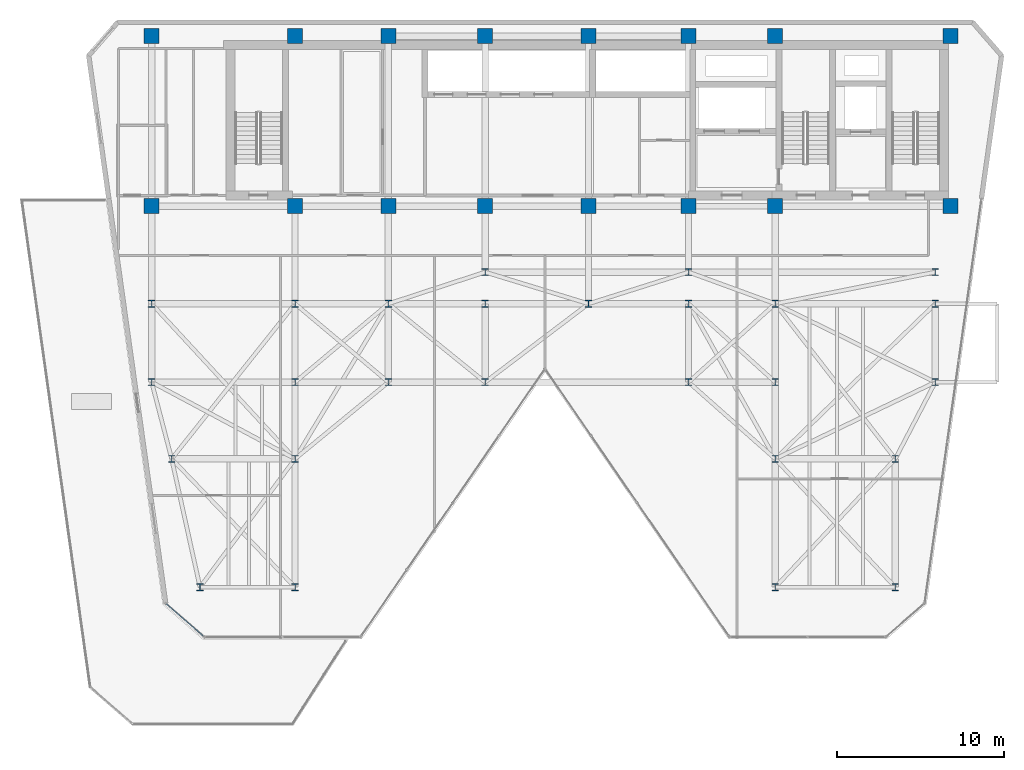
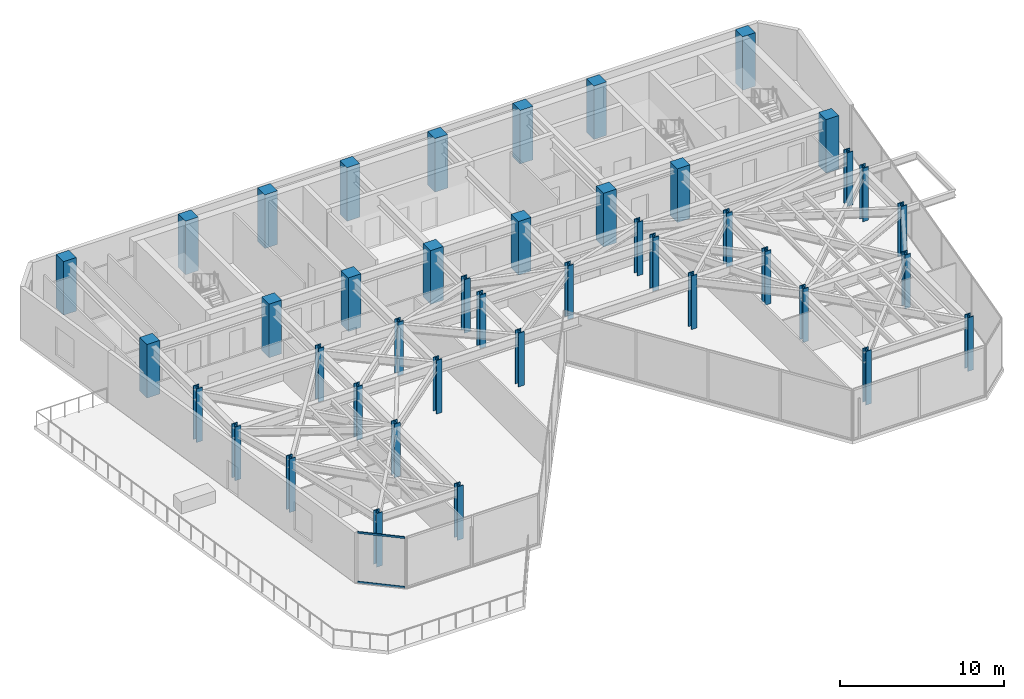
# One storey, part 1 of 21: 42 columns, 2 members, 1 element without a shape of its own.
"""IFC4 building model written with IfcOpenShell, lengths in metres."""

from ifc_helpers import new_model, si_unit, direction, frame, origin, origin_2d, place, context, subcontext, project, spatial, rectangle, hollow_rectangle, i_section, extrude, material, layer, layer_set, material_profile, profile_set, type_object, element, aggregate, save


model = new_model("IFC4")

# Units and contexts
model_context = context("Model", 3, precision=1e-05, world=origin(), true_north=direction((0.0, 1.0)))
body_context = subcontext(model_context, "Body", "Model", "MODEL_VIEW")
ifc_project = project(units=[si_unit("LENGTHUNIT", "METRE"), si_unit("AREAUNIT", "SQUARE_METRE"), si_unit("VOLUMEUNIT", "CUBIC_METRE"), si_unit("PLANEANGLEUNIT", "RADIAN"), si_unit("MASSUNIT", "GRAM", prefix="KILO")], contexts=[model_context])

# Site, building, storey
site_placement = place(None, origin())
site = spatial("IfcSite", under=ifc_project, at=site_placement, CompositionType="ELEMENT")
building_placement = place(site_placement, origin())
building = spatial("IfcBuilding", under=site, at=building_placement, Name="Kravanh Interchange Tower", CompositionType="ELEMENT")
storey_placement = place(building_placement, frame((0.0, 0.0, 160.5)))
storey = spatial("IfcBuildingStorey", under=building, at=storey_placement, Name="L38", CompositionType="ELEMENT", Elevation=160.5)

# Columns
ifc_material_1 = material(Name="Concrete C60/75", Category="concrete")
ifc_material_profile_1 = material_profile(ifc_material_1, rectangle(XDim=0.89990234375, YDim=0.89990234375, at=origin_2d()), Name="RC900X900")
ifc_profile_set_1 = profile_set([ifc_material_profile_1], Name="Concrete C60/75")
column_type_1 = type_object("IfcColumnType", Name="Column RC900X900 Concrete C60/75", PredefinedType="COLUMN", material=ifc_profile_set_1)
for number, where, z_axis, x_axis, name in (
    (1, (66.5, 47.550048828125, 0.0), (0.0, 0.0, 1.0), (1.0, 0.0, 0.0), "L38 Column CS01"),
    (2, (56.0, 47.550048828125, 0.0), (0.0, 0.0, 1.0), (1.0, 0.0, 0.0), "L38 Column CS02"),
    (3, (66.5, 37.35009765625, 0.0), (0.0, 0.0, 1.0), (1.0, 0.0, 0.0), "L38 Column CS03"),
    (4, (56.0, 37.35009765625, 0.0), (0.0, 0.0, 1.0), (1.0, 0.0, 0.0), "L38 Column CS04"),
    (5, (50.800048828125, 47.550048828125, 0.0), (0.0, 0.0, 1.0), (1.0, 0.0, 0.0), "L38 Column CS05"),
    (6, (50.800048828125, 37.35009765625, 0.0), (0.0, 0.0, 1.0), (1.0, 0.0, 0.0), "L38 Column CS06"),
    (7, (44.800048828125, 37.35009765625, 0.0), (0.0, 0.0, 1.0), (1.0, 0.0, 0.0), "L38 Column CS07"),
    (8, (44.800048828125, 47.550048828125, 0.0), (0.0, 0.0, 1.0), (1.0, 0.0, 0.0), "L38 Column CS08"),
    (9, (38.60009765625, 37.35009765625, 0.0), (0.0, 0.0, 1.0), (1.0, 0.0, 0.0), "L38 Column CS09"),
    (10, (38.60009765625, 47.550048828125, 0.0), (0.0, 0.0, 1.0), (1.0, 0.0, 0.0), "L38 Column CS10"),
    (11, (32.800048828125, 37.35009765625, 0.0), (0.0, 0.0, 1.0), (1.0, 0.0, 0.0), "L38 Column CS11"),
    (12, (32.800048828125, 47.550048828125, 0.0), (0.0, 0.0, 1.0), (1.0, 0.0, 0.0), "L38 Column CS12"),
    (13, (27.199951171875, 37.35009765625, 0.0), (0.0, 0.0, 1.0), (1.0, 0.0, 0.0), "L38 Column CS13"),
    (14, (27.199951171875, 47.550048828125, 0.0), (0.0, 0.0, 1.0), (1.0, 0.0, 0.0), "L38 Column CS14"),
    (15, (18.60009765625, 37.35009765625, 0.0), (0.0, 0.0, 1.0), (1.0, 0.0, 0.0), "L38 Column CS17"),
    (16, (18.60009765625, 47.550048828125, 0.0), (0.0, 0.0, 1.0), (1.0, 0.0, 0.0), "L38 Column CS18"),
):
    element("IfcColumn", number, at=place(storey_placement, frame(where, z_axis=z_axis, x_axis=x_axis)), inside=storey, type_object=column_type_1, Name=name, PredefinedType="COLUMN", context=body_context, shape_type="SweptSolid", body=[
        extrude(rectangle(XDim=0.89990234375, YDim=0.89990234375, at=origin_2d()), origin(), (0.0, 0.0, 1.0), 4.0),
    ])
ifc_material_2 = material(Name="Structural Steel S355", Category="steel")
ifc_material_profile_2 = material_profile(ifc_material_2, i_section(OverallWidth=0.408935546875, OverallDepth=0.425048828125, WebThickness=0.03271484375, FlangeThickness=0.052490234375, FilletRadius=0.030029296875, at=origin_2d()), Name="W14X283")
ifc_profile_set_2 = profile_set([ifc_material_profile_2], Name="Structural Steel S355")
column_type_2 = type_object("IfcColumnType", Name="Column W14X283 Structural Steel S355", PredefinedType="COLUMN", material=ifc_profile_set_2)
for number, where, z_axis, x_axis, name in (
    (17, (21.5, 14.5, 0.0), (0.0, 0.0, 1.0), (1.0, 0.0, 0.0), "L38 Column CZ3_1"),
    (18, (18.60009765625, 26.800048828125, 0.0), (0.0, 0.0, 1.0), (1.0, 0.0, 0.0), "L38 Column CZ3_11"),
    (19, (27.199951171875, 26.800048828125, 0.0), (0.0, 0.0, 1.0), (1.0, 0.0, 0.0), "L38 Column CZ3_12"),
    (20, (32.800048828125, 26.800048828125, 0.0), (0.0, 0.0, 1.0), (1.0, 0.0, 0.0), "L38 Column CZ3_13"),
    (21, (38.60009765625, 26.800048828125, 0.0), (0.0, 0.0, 1.0), (1.0, 0.0, 0.0), "L38 Column CZ3_13B"),
    (22, (50.800048828125, 26.800048828125, 0.0), (0.0, 0.0, 1.0), (1.0, 0.0, 0.0), "L38 Column CZ3_14"),
    (23, (56.0, 26.800048828125, 0.0), (0.0, 0.0, 1.0), (1.0, 0.0, 0.0), "L38 Column CZ3_15"),
    (24, (65.60009765625, 26.800048828125, 0.0), (0.0, 0.0, 1.0), (1.0, 0.0, 0.0), "L38 Column CZ3_16"),
    (25, (18.60009765625, 31.5, 0.0), (0.0, 0.0, 1.0), (1.0, 0.0, 0.0), "L38 Column CZ3_17"),
    (26, (27.199951171875, 31.5, 0.0), (0.0, 0.0, 1.0), (1.0, 0.0, 0.0), "L38 Column CZ3_18"),
    (27, (32.800048828125, 31.5, 0.0), (0.0, 0.0, 1.0), (1.0, 0.0, 0.0), "L38 Column CZ3_19"),
    (28, (27.199951171875, 14.5, 0.0), (0.0, 0.0, 1.0), (1.0, 0.0, 0.0), "L38 Column CZ3_2"),
    (29, (38.60009765625, 31.5, 0.0), (0.0, 0.0, 1.0), (1.0, 0.0, 0.0), "L38 Column CZ3_20"),
    (30, (44.800048828125, 31.5, 0.0), (0.0, 0.0, 1.0), (1.0, 0.0, 0.0), "L38 Column CZ3_21"),
    (31, (50.800048828125, 31.5, 0.0), (0.0, 0.0, 1.0), (1.0, 0.0, 0.0), "L38 Column CZ3_22"),
    (32, (56.0, 31.5, 0.0), (0.0, 0.0, 1.0), (1.0, 0.0, 0.0), "L38 Column CZ3_23"),
    (33, (65.60009765625, 31.5, 0.0), (0.0, 0.0, 1.0), (1.0, 0.0, 0.0), "L38 Column CZ3_24"),
    (34, (56.0, 14.5, 0.0), (0.0, 0.0, 1.0), (1.0, 0.0, 0.0), "L38 Column CZ3_3"),
    (35, (63.199951171875, 14.5, 0.0), (0.0, 0.0, 1.0), (1.0, 0.0, 0.0), "L38 Column CZ3_4"),
    (36, (19.800048828125, 22.199951171875, 0.0), (0.0, 0.0, 1.0), (1.0, 0.0, 0.0), "L38 Column CZ3_5"),
    (37, (27.199951171875, 22.199951171875, 0.0), (0.0, 0.0, 1.0), (1.0, 0.0, 0.0), "L38 Column CZ3_6"),
    (38, (56.0, 22.199951171875, 0.0), (0.0, 0.0, 1.0), (1.0, 0.0, 0.0), "L38 Column CZ3_8"),
    (39, (63.199951171875, 22.199951171875, 0.0), (0.0, 0.0, 1.0), (1.0, 0.0, 0.0), "L38 Column CZ3_9"),
    (40, (38.60009765625, 33.39990234375, 0.0), (0.0, 0.0, 1.0), (1.0, 0.0, 0.0), "L38 Column CZ3_M1"),
    (41, (50.800048828125, 33.39990234375, 0.0), (0.0, 0.0, 1.0), (1.0, 0.0, 0.0), "L38 Column CZ3_M2"),
    (42, (65.60009765625, 33.39990234375, 0.0), (0.0, 0.0, 1.0), (1.0, 0.0, 0.0), "L38 Column CZ3_M3"),
):
    element("IfcColumn", number, at=place(storey_placement, frame(where, z_axis=z_axis, x_axis=x_axis)), inside=storey, type_object=column_type_2, Name=name, PredefinedType="COLUMN", context=body_context, shape_type="SweptSolid", body=[
        extrude(i_section(OverallWidth=0.408935546875, OverallDepth=0.425048828125, WebThickness=0.03271484375, FlangeThickness=0.052490234375, FilletRadius=0.030029296875, at=origin_2d()), origin(), (0.0, 0.0, 1.0), 4.0),
    ])

# Curtain wall, members
ifc_material_3 = material(Name="Anodised Bronze Aluminium", Category="aluminium")
ifc_layer = layer(ifc_material_3, 0.179931640625)
ifc_layer_set = layer_set([ifc_layer], Name="Unitised Curtain Wall System CW-Z3 Upper Office")
curtain_wall_type = type_object("IfcCurtainWallType", Name="Unitised Curtain Wall System CW-Z3 Upper Office", PredefinedType="NOTDEFINED", material=ifc_layer_set)
curtain_wall_placement = place(storey_placement, origin())
curtain_wall = element("IfcCurtainWall", 43, at=curtain_wall_placement, inside=storey, type_object=curtain_wall_type, Name="L38 Unitised Curtain Wall CW-L38-07", PredefinedType="NOTDEFINED")
ifc_material_4 = material(Name="Anodised Bronze Aluminium", Category="aluminium")
ifc_material_profile_3 = material_profile(ifc_material_4, hollow_rectangle(XDim=0.06005859375, YDim=0.139892578125, WallThickness=0.00390625, at=origin_2d()), Name="ALU60X140X4")
ifc_profile_set_3 = profile_set([ifc_material_profile_3], Name="Anodised Bronze Aluminium")
member_type = type_object("IfcMemberType", Name="Curtain Wall Transom ALU60X140X4 Bronze", PredefinedType="USERDEFINED", material=ifc_profile_set_3)
member_1_placement = place(storey_placement, frame((21.713623046875, 11.559326171875, 0.030029296875), z_axis=(-0.754708504141, 0.656060266879, 0.0), x_axis=(-0.656060266879, -0.754708504141, 0.0)))
member_1 = element("IfcMember", 44, at=member_1_placement, type_object=member_type, Name="CW-Z3 transom 1.1", ObjectType="TRANSOM", PredefinedType="USERDEFINED", context=body_context, shape_type="SweptSolid", body=[
    extrude(hollow_rectangle(XDim=0.06005859375, YDim=0.139892578125, WallThickness=0.00390625, at=origin_2d()), origin(), (0.0, 0.0, 1.0), 2.9599609375),
])
member_2_placement = place(storey_placement, frame((21.713623046875, 11.559326171875, 3.72509765625), z_axis=(-0.754708504141, 0.656060266879, 0.0), x_axis=(-0.656060266879, -0.754708504141, 0.0)))
member_2 = element("IfcMember", 45, at=member_2_placement, type_object=member_type, Name="CW-Z3 transom 1.2", ObjectType="TRANSOM", PredefinedType="USERDEFINED", context=body_context, shape_type="SweptSolid", body=[
    extrude(hollow_rectangle(XDim=0.06005859375, YDim=0.139892578125, WallThickness=0.00390625, at=origin_2d()), origin(), (0.0, 0.0, 1.0), 2.9599609375),
])
aggregate(curtain_wall, [member_1, member_2])

save(model, "model.ifc")
